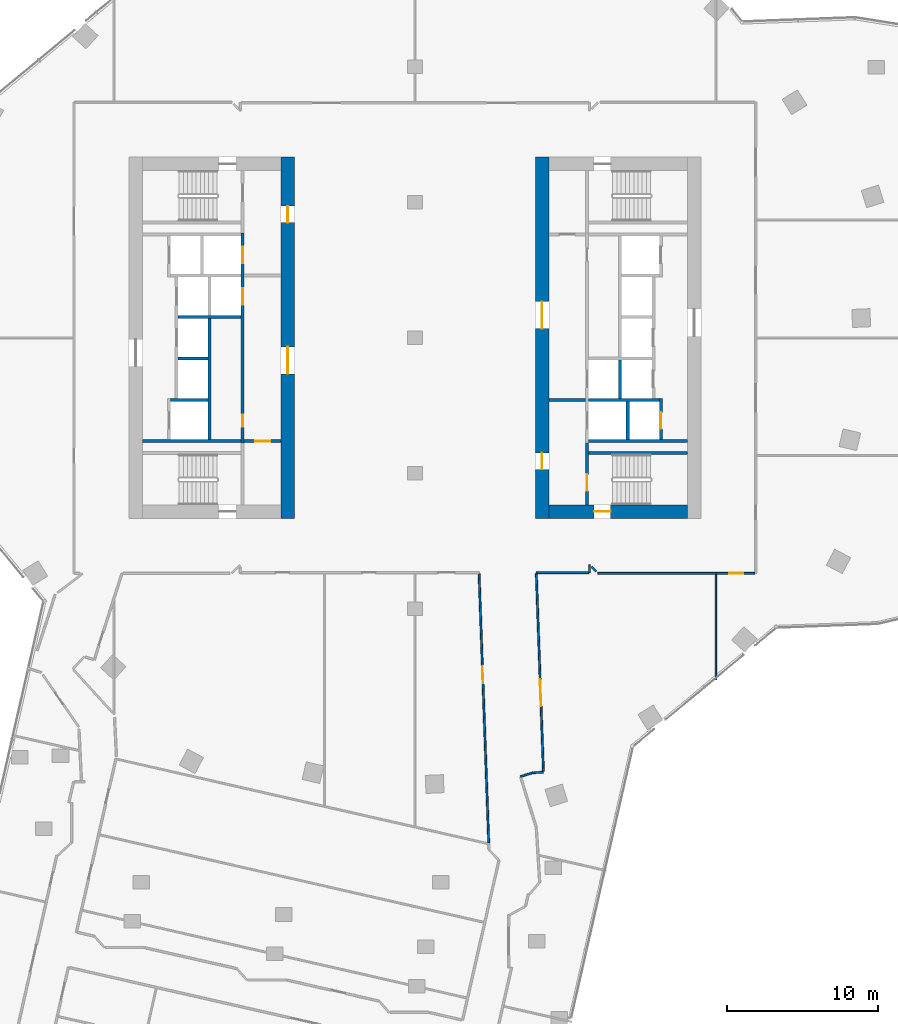
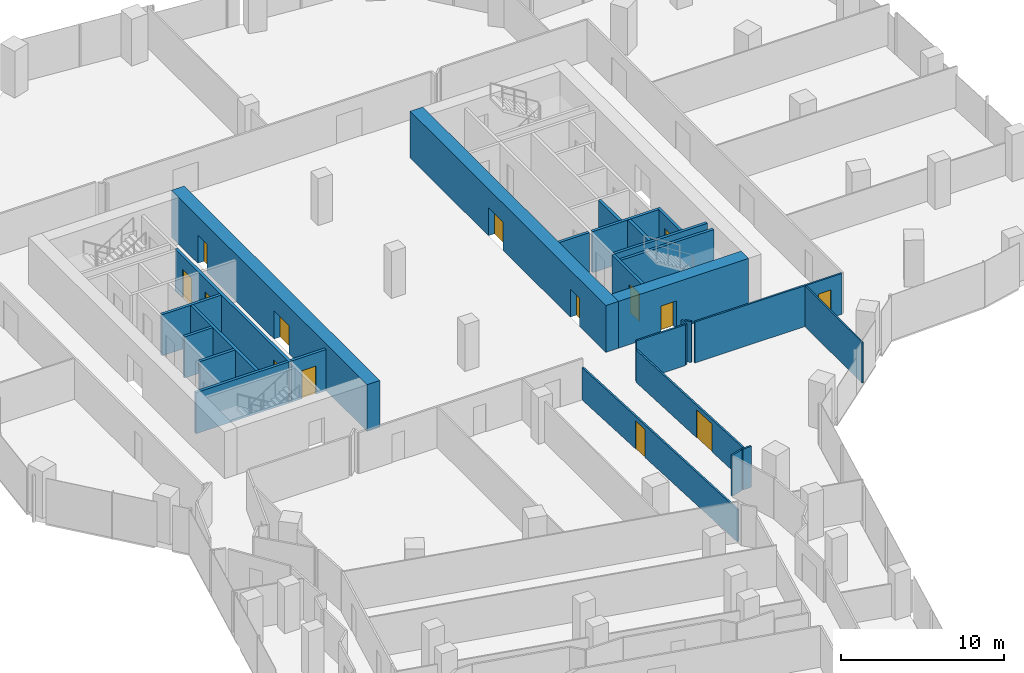
# One storey, part 20 of 23: 27 walls, 14 doors, 14 openings.
"""IFC4 building model written with IfcOpenShell, lengths in metres."""

from ifc_helpers import new_model, si_unit, direction, frame, frame_2d, origin, place, context, subcontext, project, spatial, rectangle, extrude, material, layer, layer_set, type_object, element, fill, save


model = new_model("IFC4")

# Units and contexts
model_context = context("Model", 3, precision=1e-05, world=origin(), true_north=direction((0.0, 1.0)))
body_context = subcontext(model_context, "Body", "Model", "MODEL_VIEW")
ifc_project = project(units=[si_unit("LENGTHUNIT", "METRE"), si_unit("AREAUNIT", "SQUARE_METRE"), si_unit("VOLUMEUNIT", "CUBIC_METRE"), si_unit("PLANEANGLEUNIT", "RADIAN"), si_unit("MASSUNIT", "GRAM", prefix="KILO")], contexts=[model_context])

# Site, building, storey
site_placement = place(None, origin())
site = spatial("IfcSite", under=ifc_project, at=site_placement, CompositionType="ELEMENT")
building_placement = place(site_placement, origin())
building = spatial("IfcBuilding", under=site, at=building_placement, Name="Orlundy Tower", CompositionType="ELEMENT")
storey_placement = place(building_placement, frame((0.0, 0.0, 181.10009765625)))
storey = spatial("IfcBuildingStorey", under=building, at=storey_placement, Name="L47", CompositionType="ELEMENT", Elevation=181.10009765625)

# Wall, openings, doors
ifc_material_1 = material(Name="Concrete C70/85", Category="concrete")
ifc_layer_1 = layer(ifc_material_1, 0.89990234375)
ifc_layer_set_1 = layer_set([ifc_layer_1], Name="CORE WALL 900 C70/85")
wall_type_1 = type_object("IfcWallType", Name="CORE WALL 900 C70/85", PredefinedType="SHEAR", material=ifc_layer_set_1)
wall_1_placement = place(storey_placement, frame((-8.449951171875, -12.0, 0.0), z_axis=(0.0, 0.0, 1.0), x_axis=(0.0, 1.0, 0.0)))
wall_1 = element("IfcWall", 1, at=wall_1_placement, inside=storey, type_object=wall_type_1, Name="Core wall W-E L47", PredefinedType="SHEAR", context=body_context, shape_type="SweptSolid", body=[
    extrude(rectangle(XDim=24.0, YDim=0.89990234375, at=frame_2d((12.0, 0.0))), origin(), (0.0, 0.0, 1.0), 3.5),
])
opening_1_placement = place(wall_1_placement, frame((9.60009765625, 0.0, 0.0)))
opening_1 = element("IfcOpeningElement", 2, at=opening_1_placement, cuts=wall_1, Name="Opening 36008", PredefinedType="OPENING", context=body_context, shape_type="SweptSolid", body=[
    extrude(rectangle(XDim=1.800048828125, YDim=2.10009765625, at=frame_2d((0.89990234375, 1.050048828125))), frame((0.0, 0.4599609375, 0.0), z_axis=(0.0, -1.0, 0.0), x_axis=(1.0, 0.0, 0.0)), (0.0, 0.0, 1.0), 0.919921875),
])
opening_2_placement = place(wall_1_placement, frame((19.64990234375, 0.0, 0.0)))
opening_2 = element("IfcOpeningElement", 3, at=opening_2_placement, cuts=wall_1, Name="Opening 36010", PredefinedType="OPENING", context=body_context, shape_type="SweptSolid", body=[
    extrude(rectangle(XDim=1.10009765625, YDim=2.10009765625, at=frame_2d((0.550048828125, 1.050048828125))), frame((0.0, 0.4599609375, 0.0), z_axis=(0.0, -1.0, 0.0), x_axis=(1.0, 0.0, 0.0)), (0.0, 0.0, 1.0), 0.919921875),
])
ifc_material_2 = material(Name="Steel door set", Category="steel")
door_type_1 = type_object("IfcDoorType", Name="Fire-fighting Lobby Door 1100x2100", OperationType="SINGLE_SWING_LEFT", PredefinedType="DOOR", material=ifc_material_2)
door_1_placement = place(opening_2_placement, origin())
door_1 = element("IfcDoor", 4, at=door_1_placement, inside=storey, type_object=door_type_1, Name="Fire-fighting lobby door 36010", OperationType="SINGLE_SWING_RIGHT", OverallHeight=2.10009765625, OverallWidth=1.10009765625, PredefinedType="DOOR", context=body_context, shape_type="SweptSolid", body=[
    extrude(rectangle(XDim=1.10009765625, YDim=2.10009765625, at=frame_2d((0.550048828125, 1.050048828125))), frame((0.0, 0.02490234375, 0.0), z_axis=(0.0, -1.0, 0.0), x_axis=(1.0, 0.0, 0.0)), (0.0, 0.0, 1.0), 0.050048828125),
])
fill(opening_2, door_1)
ifc_material_3 = material(Name="Timber door set", Category="wood")
door_type_2 = type_object("IfcDoorType", Name="Lobby Door 1800x2100", OperationType="DOUBLE_DOOR_DOUBLE_SWING", PredefinedType="DOOR", material=ifc_material_3)
door_2_placement = place(opening_1_placement, origin())
door_2 = element("IfcDoor", 5, at=door_2_placement, inside=storey, type_object=door_type_2, Name="Lift lobby door 36008", OperationType="SINGLE_SWING_LEFT", OverallHeight=2.10009765625, OverallWidth=1.800048828125, PredefinedType="DOOR", context=body_context, shape_type="SweptSolid", body=[
    extrude(rectangle(XDim=1.800048828125, YDim=2.10009765625, at=frame_2d((0.89990234375, 1.050048828125))), frame((0.0, 0.02490234375, 0.0), z_axis=(0.0, -1.0, 0.0), x_axis=(1.0, 0.0, 0.0)), (0.0, 0.0, 1.0), 0.050048828125),
])
fill(opening_1, door_2)

# Wall, opening, door
wall_2_placement = place(storey_placement, frame((8.89990234375, -11.550048828125, 0.0), z_axis=(0.0, 0.0, 1.0), x_axis=(1.0, 0.0, 0.0)))
wall_2 = element("IfcWall", 6, at=wall_2_placement, inside=storey, type_object=wall_type_1, Name="Core wall E-S L47", PredefinedType="SHEAR", context=body_context, shape_type="SweptSolid", body=[
    extrude(rectangle(XDim=9.2001953125, YDim=0.89990234375, at=frame_2d((4.60009765625, 0.0))), origin(), (0.0, 0.0, 1.0), 3.5),
])
opening_3_placement = place(wall_2_placement, frame((3.0, 0.0, 0.0)))
opening_3 = element("IfcOpeningElement", 7, at=opening_3_placement, cuts=wall_2, Name="Opening 36060", PredefinedType="OPENING", context=body_context, shape_type="SweptSolid", body=[
    extrude(rectangle(XDim=1.10009765625, YDim=2.10009765625, at=frame_2d((0.550048828125, 1.050048828125))), frame((0.0, 0.4599609375, 0.0), z_axis=(0.0, -1.0, 0.0), x_axis=(1.0, 0.0, 0.0)), (0.0, 0.0, 1.0), 0.919921875),
])
ifc_material_4 = material(Name="Steel door set", Category="steel")
door_type_3 = type_object("IfcDoorType", Name="Stair Door 1100x2100", OperationType="SINGLE_SWING_LEFT", PredefinedType="DOOR", material=ifc_material_4)
door_3_placement = place(opening_3_placement, origin())
door_3 = element("IfcDoor", 8, at=door_3_placement, inside=storey, type_object=door_type_3, Name="Stair door 36060", OperationType="SINGLE_SWING_LEFT", OverallHeight=2.10009765625, OverallWidth=1.10009765625, PredefinedType="DOOR", context=body_context, shape_type="SweptSolid", body=[
    extrude(rectangle(XDim=1.10009765625, YDim=2.10009765625, at=frame_2d((0.550048828125, 1.050048828125))), frame((0.0, 0.02490234375, 0.0), z_axis=(0.0, -1.0, 0.0), x_axis=(1.0, 0.0, 0.0)), (0.0, 0.0, 1.0), 0.050048828125),
])
fill(opening_3, door_3)

# Wall, openings, doors
wall_3_placement = place(storey_placement, frame((8.449951171875, -12.0, 0.0), z_axis=(0.0, 0.0, 1.0), x_axis=(0.0, 1.0, 0.0)))
wall_3 = element("IfcWall", 9, at=wall_3_placement, inside=storey, type_object=wall_type_1, Name="Core wall E-W L47", PredefinedType="SHEAR", context=body_context, shape_type="SweptSolid", body=[
    extrude(rectangle(XDim=24.0, YDim=0.89990234375, at=frame_2d((12.0, 0.0))), origin(), (0.0, 0.0, 1.0), 3.5),
])
opening_4_placement = place(wall_3_placement, frame((12.60009765625, 0.0, 0.0)))
opening_4 = element("IfcOpeningElement", 10, at=opening_4_placement, cuts=wall_3, Name="Opening 36057", PredefinedType="OPENING", context=body_context, shape_type="SweptSolid", body=[
    extrude(rectangle(XDim=1.800048828125, YDim=2.10009765625, at=frame_2d((0.89990234375, 1.050048828125))), frame((0.0, 0.4599609375, 0.0), z_axis=(0.0, -1.0, 0.0), x_axis=(1.0, 0.0, 0.0)), (0.0, 0.0, 1.0), 0.919921875),
])
opening_5_placement = place(wall_3_placement, frame((3.25, 0.0, 0.0)))
opening_5 = element("IfcOpeningElement", 11, at=opening_5_placement, cuts=wall_3, Name="Opening 36059", PredefinedType="OPENING", context=body_context, shape_type="SweptSolid", body=[
    extrude(rectangle(XDim=1.10009765625, YDim=2.10009765625, at=frame_2d((0.550048828125, 1.050048828125))), frame((0.0, 0.4599609375, 0.0), z_axis=(0.0, -1.0, 0.0), x_axis=(1.0, 0.0, 0.0)), (0.0, 0.0, 1.0), 0.919921875),
])
door_4_placement = place(opening_5_placement, origin())
door_4 = element("IfcDoor", 12, at=door_4_placement, inside=storey, type_object=door_type_1, Name="Fire-fighting lobby door 36059", OperationType="SINGLE_SWING_LEFT", OverallHeight=2.10009765625, OverallWidth=1.10009765625, PredefinedType="DOOR", context=body_context, shape_type="SweptSolid", body=[
    extrude(rectangle(XDim=1.10009765625, YDim=2.10009765625, at=frame_2d((0.550048828125, 1.050048828125))), frame((0.0, 0.02490234375, 0.0), z_axis=(0.0, -1.0, 0.0), x_axis=(1.0, 0.0, 0.0)), (0.0, 0.0, 1.0), 0.050048828125),
])
fill(opening_5, door_4)
door_5_placement = place(opening_4_placement, origin())
door_5 = element("IfcDoor", 13, at=door_5_placement, inside=storey, type_object=door_type_2, Name="Lift lobby door 36057", OperationType="SINGLE_SWING_RIGHT", OverallHeight=2.10009765625, OverallWidth=1.800048828125, PredefinedType="DOOR", context=body_context, shape_type="SweptSolid", body=[
    extrude(rectangle(XDim=1.800048828125, YDim=2.10009765625, at=frame_2d((0.89990234375, 1.050048828125))), frame((0.0, 0.02490234375, 0.0), z_axis=(0.0, -1.0, 0.0), x_axis=(1.0, 0.0, 0.0)), (0.0, 0.0, 1.0), 0.050048828125),
])
fill(opening_4, door_5)

# Walls
ifc_material_5 = material(Name="Gypsum board partition")
ifc_layer_2 = layer(ifc_material_5, 0.10009765625)
ifc_layer_set_2 = layer_set([ifc_layer_2], Name="Floor partition 100")
wall_type_2 = type_object("IfcWallType", Name="Floor partition 100", PredefinedType="PARTITIONING", material=ifc_layer_set_2)
wall_4_placement = place(storey_placement, frame((20.0, -22.712890625, 0.0), z_axis=(0.0, 0.0, 1.0), x_axis=(0.0, 1.0, 0.0)))
element("IfcWall", 14, at=wall_4_placement, inside=storey, type_object=wall_type_2, Name="wall-int-L47-082", PredefinedType="PARTITIONING", context=body_context, shape_type="SweptSolid", body=[
    extrude(rectangle(XDim=7.0, YDim=0.10009765625, at=frame_2d((3.5, 0.0))), origin(), (0.0, 0.0, 1.0), 3.059814453125),
])
ifc_material_6 = material(Name="Gypsum board partition, double layer")
ifc_layer_3 = layer(ifc_material_6, 0.125)
ifc_layer_set_3 = layer_set([ifc_layer_3], Name="Floor partition 125")
wall_type_3 = type_object("IfcWallType", Name="Floor partition 125", PredefinedType="PARTITIONING", material=ifc_layer_set_3)
wall_5_placement = place(storey_placement, frame((11.72900390625, -15.20703125, 0.0), z_axis=(0.0, 0.0, 1.0), x_axis=(0.707106781187, -0.707106781187, 0.0)))
element("IfcWall", 15, at=wall_5_placement, inside=storey, type_object=wall_type_3, Name="wall-int-L47-011", PredefinedType="PARTITIONING", context=body_context, shape_type="SweptSolid", body=[
    extrude(rectangle(XDim=0.4482421875, YDim=0.125, at=frame_2d((0.22412109375, 0.0))), origin(), (0.0, 0.0, 1.0), 3.059814453125),
])

# Wall, opening, door
wall_6_placement = place(storey_placement, frame((22.5869140625, -15.65087890625, 0.0), z_axis=(0.0, 0.0, 1.0), x_axis=(-1.0, 0.0, 0.0)))
wall_6 = element("IfcWall", 16, at=wall_6_placement, inside=storey, type_object=wall_type_3, Name="wall-int-L47-044", PredefinedType="PARTITIONING", context=body_context, shape_type="SweptSolid", body=[
    extrude(rectangle(XDim=10.427001953125, YDim=0.125, at=frame_2d((5.21337890625, 0.0))), origin(), (0.0, 0.0, 1.0), 3.059814453125),
])
opening_6_placement = place(wall_6_placement, frame((0.78759765625, 0.0, 0.0)))
opening_6 = element("IfcOpeningElement", 17, at=opening_6_placement, cuts=wall_6, Name="Opening 36118", PredefinedType="OPENING", context=body_context, shape_type="SweptSolid", body=[
    extrude(rectangle(XDim=0.89990234375, YDim=2.10009765625, at=frame_2d((0.449951171875, 1.050048828125))), frame((0.0, 0.072509765625, 0.0), z_axis=(0.0, -1.0, 0.0), x_axis=(1.0, 0.0, 0.0)), (0.0, 0.0, 1.0), 0.14501953125),
])
ifc_material_7 = material(Name="Timber door leaf", Category="wood")
door_type_4 = type_object("IfcDoorType", Name="Floor door single 900 FD30S", OperationType="NOTDEFINED", PredefinedType="DOOR", material=ifc_material_7)
door_6_placement = place(opening_6_placement, origin())
door_6 = element("IfcDoor", 18, at=door_6_placement, inside=storey, type_object=door_type_4, Name="Door 36118", OperationType="SINGLE_SWING_LEFT", OverallHeight=2.10009765625, OverallWidth=0.89990234375, PredefinedType="DOOR", context=body_context, shape_type="SweptSolid", body=[
    extrude(rectangle(XDim=0.89990234375, YDim=2.10009765625, at=frame_2d((0.449951171875, 1.050048828125))), frame((0.0, 0.02490234375, 0.0), z_axis=(0.0, -1.0, 0.0), x_axis=(1.0, 0.0, 0.0)), (0.0, 0.0, 1.0), 0.050048828125),
])
fill(opening_6, door_6)

# Walls
wall_7_placement = place(storey_placement, frame((8.06298828125, -15.60009765625, 0.0), z_axis=(0.0, 0.0, 1.0), x_axis=(1.0, 0.0, 0.0)))
element("IfcWall", 19, at=wall_7_placement, inside=storey, type_object=wall_type_3, Name="wall-int-L47-046", PredefinedType="PARTITIONING", context=body_context, shape_type="SweptSolid", body=[
    extrude(rectangle(XDim=3.47607421875, YDim=0.125, at=frame_2d((1.738037109375, 0.0))), origin(), (0.0, 0.0, 1.0), 3.059814453125),
])
wall_8_placement = place(storey_placement, frame((7.902099609375, -28.89208984375, 0.0), z_axis=(0.0, 0.0, 1.0), x_axis=(0.999337726379, 0.036388303567, 0.0)))
element("IfcWall", 20, at=wall_8_placement, inside=storey, type_object=wall_type_3, Name="wall-int-L47-055", PredefinedType="PARTITIONING", context=body_context, shape_type="SweptSolid", body=[
    extrude(rectangle(XDim=0.637451171875, YDim=0.125, at=frame_2d((0.31884765625, 0.0))), origin(), (0.0, 0.0, 1.0), 3.059814453125),
])
wall_9_placement = place(storey_placement, frame((7.01611328125, -29.15087890625, 0.0), z_axis=(0.0, 0.0, 1.0), x_axis=(0.955337275677, 0.295517663943, 0.0)))
element("IfcWall", 21, at=wall_9_placement, inside=storey, type_object=wall_type_3, Name="wall-int-L47-057", PredefinedType="PARTITIONING", context=body_context, shape_type="SweptSolid", body=[
    extrude(rectangle(XDim=0.862548828125, YDim=0.125, at=frame_2d((0.43115234375, 0.0))), origin(), (0.0, 0.0, 1.0), 3.059814453125),
])
wall_10_placement = place(storey_placement, frame((11.60107421875, -15.60009765625, 0.0), z_axis=(0.0, 0.0, 1.0), x_axis=(0.0, 1.0, 0.0)))
element("IfcWall", 22, at=wall_10_placement, inside=storey, type_object=wall_type_3, Name="wall-int-L47-084", PredefinedType="PARTITIONING", context=body_context, shape_type="SweptSolid", body=[
    extrude(rectangle(XDim=0.508056640625, YDim=0.125, at=frame_2d((0.25390625, 0.0))), origin(), (0.0, 0.0, 1.0), 3.059814453125),
])

# Wall, opening, door
ifc_material_8 = material(Name="Gypsum board partition, double layer")
ifc_layer_4 = layer(ifc_material_8, 0.125)
ifc_layer_set_4 = layer_set([ifc_layer_4], Name="Floor partition 125 B")
wall_type_4 = type_object("IfcWallType", Name="Floor partition 125 B", PredefinedType="PARTITIONING", material=ifc_layer_set_4)
wall_11_placement = place(storey_placement, frame((4.904052734375, -33.554931640625, 0.0), z_axis=(0.0, 0.0, 1.0), x_axis=(-0.035916720211, 0.999354786454, 0.0)))
wall_11 = element("IfcWall", 23, at=wall_11_placement, inside=storey, type_object=wall_type_4, Name="wall-int-L47-003", PredefinedType="PARTITIONING", context=body_context, shape_type="SweptSolid", body=[
    extrude(rectangle(XDim=17.904296875, YDim=0.125, at=frame_2d((8.9521484375, 0.0))), origin(), (0.0, 0.0, 1.0), 2.4248046875),
])
opening_7_placement = place(wall_11_placement, frame((10.622802734375, 0.0, 0.0)))
opening_7 = element("IfcOpeningElement", 24, at=opening_7_placement, cuts=wall_11, Name="Opening 36116", PredefinedType="OPENING", context=body_context, shape_type="SweptSolid", body=[
    extrude(rectangle(XDim=1.10009765625, YDim=2.10009765625, at=frame_2d((0.550048828125, 1.050048828125))), frame((0.0, 0.072509765625, 0.0), z_axis=(0.0, -1.0, 0.0), x_axis=(1.0, 0.0, 0.0)), (0.0, 0.0, 1.0), 0.14501953125),
])
ifc_material_9 = material(Name="Timber door leaf", Category="wood")
door_type_5 = type_object("IfcDoorType", Name="Floor door xwide 1100 FD30S", OperationType="NOTDEFINED", PredefinedType="DOOR", material=ifc_material_9)
door_7_placement = place(opening_7_placement, origin())
door_7 = element("IfcDoor", 25, at=door_7_placement, inside=storey, type_object=door_type_5, Name="Door 36116", OperationType="SINGLE_SWING_RIGHT", OverallHeight=2.10009765625, OverallWidth=1.10009765625, PredefinedType="DOOR", context=body_context, shape_type="SweptSolid", body=[
    extrude(rectangle(XDim=1.10009765625, YDim=2.10009765625, at=frame_2d((0.550048828125, 1.050048828125))), frame((0.0, 0.02490234375, 0.0), z_axis=(0.0, -1.0, 0.0), x_axis=(1.0, 0.0, 0.0)), (0.0, 0.0, 1.0), 0.050048828125),
])
fill(opening_7, door_7)

wall_12_placement = place(storey_placement, frame((8.06494140625, -15.662109375, 0.0), z_axis=(0.0, 0.0, 1.0), x_axis=(0.035900093104, -0.999355383893, 0.0)))
wall_12 = element("IfcWall", 26, at=wall_12_placement, inside=storey, type_object=wall_type_4, Name="wall-int-L47-004", PredefinedType="PARTITIONING", context=body_context, shape_type="SweptSolid", body=[
    extrude(rectangle(XDim=13.15234375, YDim=0.125, at=frame_2d((6.576171875, 0.0))), origin(), (0.0, 0.0, 1.0), 2.4248046875),
])
opening_8_placement = place(wall_12_placement, frame((7.018310546875, 0.0, 0.0)))
opening_8 = element("IfcOpeningElement", 27, at=opening_8_placement, cuts=wall_12, Name="Opening 36117", PredefinedType="OPENING", context=body_context, shape_type="SweptSolid", body=[
    extrude(rectangle(XDim=1.800048828125, YDim=2.10009765625, at=frame_2d((0.89990234375, 1.050048828125))), frame((0.0, 0.072509765625, 0.0), z_axis=(0.0, -1.0, 0.0), x_axis=(1.0, 0.0, 0.0)), (0.0, 0.0, 1.0), 0.14501953125),
])
ifc_material_10 = material(Name="Timber door leaf", Category="wood")
door_type_6 = type_object("IfcDoorType", Name="Floor door double 1800 FD30S", OperationType="NOTDEFINED", PredefinedType="DOOR", material=ifc_material_10)
door_8_placement = place(opening_8_placement, origin())
door_8 = element("IfcDoor", 28, at=door_8_placement, inside=storey, type_object=door_type_6, Name="Door 36117", OperationType="DOUBLE_DOOR_SINGLE_SWING", OverallHeight=2.10009765625, OverallWidth=1.800048828125, PredefinedType="DOOR", context=body_context, shape_type="SweptSolid", body=[
    extrude(rectangle(XDim=1.800048828125, YDim=2.10009765625, at=frame_2d((0.89990234375, 1.050048828125))), frame((0.0, 0.02490234375, 0.0), z_axis=(0.0, -1.0, 0.0), x_axis=(1.0, 0.0, 0.0)), (0.0, 0.0, 1.0), 0.050048828125),
])
fill(opening_8, door_8)

ifc_material_11 = material(Name="Concrete C40/50", Category="concrete")
ifc_layer_5 = layer(ifc_material_11, 0.199951171875)
ifc_layer_set_5 = layer_set([ifc_layer_5], Name="Load-bearing Shaft Wall 200")
wall_type_5 = type_object("IfcWallType", Name="Load-bearing Shaft Wall 200", PredefinedType="SOLIDWALL", material=ifc_layer_set_5)
wall_13_placement = place(storey_placement, frame((11.43994140625, -6.97509765625, 0.0), z_axis=(0.0, 0.0, 1.0), x_axis=(0.0, -1.0, 0.0)))
wall_13 = element("IfcWall", 29, at=wall_13_placement, inside=storey, type_object=wall_type_5, Name="Shaft wall E36-stair-end-n", PredefinedType="SOLIDWALL", context=body_context, shape_type="SweptSolid", body=[
    extrude(rectangle(XDim=4.125, YDim=0.199951171875, at=frame_2d((2.0625, 0.0))), origin(), (0.0, 0.0, 1.0), 3.079833984375),
])
opening_9_placement = place(wall_13_placement, frame((2.10009765625, 0.0, 0.0)))
opening_9 = element("IfcOpeningElement", 30, at=opening_9_placement, cuts=wall_13, Name="Opening 36062", PredefinedType="OPENING", context=body_context, shape_type="SweptSolid", body=[
    extrude(rectangle(XDim=1.10009765625, YDim=2.10009765625, at=frame_2d((0.550048828125, 1.050048828125))), frame((0.0, 0.110107421875, 0.0), z_axis=(0.0, -1.0, 0.0), x_axis=(1.0, 0.0, 0.0)), (0.0, 0.0, 1.0), 0.22021484375),
])
door_9_placement = place(opening_9_placement, origin())
door_9 = element("IfcDoor", 31, at=door_9_placement, inside=storey, type_object=door_type_1, Name="Fire-fighting lobby to stair door 36062", OperationType="SINGLE_SWING_RIGHT", OverallHeight=2.10009765625, OverallWidth=1.10009765625, PredefinedType="DOOR", context=body_context, shape_type="SweptSolid", body=[
    extrude(rectangle(XDim=1.10009765625, YDim=2.10009765625, at=frame_2d((0.550048828125, 1.050048828125))), frame((0.0, 0.02490234375, 0.0), z_axis=(0.0, -1.0, 0.0), x_axis=(1.0, 0.0, 0.0)), (0.0, 0.0, 1.0), 0.050048828125),
])
fill(opening_9, door_9)

# Wall
wall_14_placement = place(storey_placement, frame((11.5400390625, -7.64990234375, 0.0), z_axis=(0.0, 0.0, 1.0), x_axis=(1.0, 0.0, 0.0)))
element("IfcWall", 32, at=wall_14_placement, inside=storey, type_object=wall_type_5, Name="Shaft wall E36-stair-side-n", PredefinedType="SOLIDWALL", context=body_context, shape_type="SweptSolid", body=[
    extrude(rectangle(XDim=6.56005859375, YDim=0.199951171875, at=frame_2d((3.280029296875, 0.0))), origin(), (0.0, 0.0, 1.0), 3.079833984375),
])

# Wall, opening, door
ifc_material_12 = material(Name="Gypsum board partition on steel studs", Category="steel")
ifc_layer_6 = layer(ifc_material_12, 0.199951171875)
ifc_layer_set_6 = layer_set([ifc_layer_6], Name="Partition 200")
wall_type_6 = type_object("IfcWallType", Name="Partition 200", PredefinedType="PARTITIONING", material=ifc_layer_set_6)
wall_15_placement = place(storey_placement, frame((-8.89990234375, -6.875, 0.0), z_axis=(0.0, 0.0, 1.0), x_axis=(-1.0, 0.0, 0.0)))
wall_15 = element("IfcWall", 33, at=wall_15_placement, inside=storey, type_object=wall_type_6, Name="Partition wall W36-end-s", PredefinedType="PARTITIONING", context=body_context, shape_type="SweptSolid", body=[
    extrude(rectangle(XDim=2.440185546875, YDim=0.199951171875, at=frame_2d((1.22021484375, 0.0))), origin(), (0.0, 0.0, 1.0), 3.079833984375),
])
opening_10_placement = place(wall_15_placement, frame((0.719970703125, 0.0, 0.0)))
opening_10 = element("IfcOpeningElement", 34, at=opening_10_placement, cuts=wall_15, Name="Opening 36014", PredefinedType="OPENING", context=body_context, shape_type="SweptSolid", body=[
    extrude(rectangle(XDim=1.0, YDim=2.10009765625, at=frame_2d((0.5, 1.050048828125))), frame((0.0, 0.110107421875, 0.0), z_axis=(0.0, -1.0, 0.0), x_axis=(1.0, 0.0, 0.0)), (0.0, 0.0, 1.0), 0.22021484375),
])
ifc_material_13 = material(Name="Timber door set", Category="wood")
door_type_7 = type_object("IfcDoorType", Name="Accessible Door 1000x2100", OperationType="SINGLE_SWING_LEFT", PredefinedType="DOOR", material=ifc_material_13)
door_10_placement = place(opening_10_placement, origin())
door_10 = element("IfcDoor", 35, at=door_10_placement, inside=storey, type_object=door_type_7, Name="Accessible WC door 36014", OperationType="SINGLE_SWING_RIGHT", OverallHeight=2.10009765625, OverallWidth=1.0, PredefinedType="DOOR", context=body_context, shape_type="SweptSolid", body=[
    extrude(rectangle(XDim=1.0, YDim=2.10009765625, at=frame_2d((0.5, 1.050048828125))), frame((0.0, 0.02490234375, 0.0), z_axis=(0.0, -1.0, 0.0), x_axis=(1.0, 0.0, 0.0)), (0.0, 0.0, 1.0), 0.050048828125),
])
fill(opening_10, door_10)

# Walls
wall_16_placement = place(storey_placement, frame((8.89990234375, -4.125, 0.0), z_axis=(0.0, 0.0, 1.0), x_axis=(1.0, 0.0, 0.0)))
element("IfcWall", 36, at=wall_16_placement, inside=storey, type_object=wall_type_6, Name="Partition wall E36-lobby-n", PredefinedType="PARTITIONING", context=body_context, shape_type="SweptSolid", body=[
    extrude(rectangle(XDim=2.440185546875, YDim=0.199951171875, at=frame_2d((1.22021484375, 0.0))), origin(), (0.0, 0.0, 1.0), 3.079833984375),
])
ifc_material_14 = material(Name="Fire-rated blockwork shaft wall", Category="masonry")
ifc_layer_7 = layer(ifc_material_14, 0.199951171875)
ifc_layer_set_7 = layer_set([ifc_layer_7], Name="Shaft Wall 200")
wall_type_7 = type_object("IfcWallType", Name="Shaft Wall 200", PredefinedType="SOLIDWALL", material=ifc_layer_set_7)
wall_17_placement = place(storey_placement, frame((-11.5400390625, -6.875, 0.0), z_axis=(0.0, 0.0, 1.0), x_axis=(-1.0, 0.0, 0.0)))
element("IfcWall", 37, at=wall_17_placement, inside=storey, type_object=wall_type_7, Name="Shaft wall W36-zone-s", PredefinedType="SOLIDWALL", context=body_context, shape_type="SweptSolid", body=[
    extrude(rectangle(XDim=6.56005859375, YDim=0.199951171875, at=frame_2d((3.280029296875, 0.0))), origin(), (0.0, 0.0, 1.0), 3.079833984375),
])
wall_18_placement = place(storey_placement, frame((-13.739990234375, -4.125, 0.0), z_axis=(0.0, 0.0, 1.0), x_axis=(-1.0, 0.0, 0.0)))
element("IfcWall", 38, at=wall_18_placement, inside=storey, type_object=wall_type_7, Name="Shaft wall W36-cross-4.125", PredefinedType="SOLIDWALL", context=body_context, shape_type="SweptSolid", body=[
    extrude(rectangle(XDim=2.5, YDim=0.199951171875, at=frame_2d((1.25, 0.0))), origin(), (0.0, 0.0, 1.0), 3.079833984375),
])
wall_19_placement = place(storey_placement, frame((-13.739990234375, -1.375, 0.0), z_axis=(0.0, 0.0, 1.0), x_axis=(-1.0, 0.0, 0.0)))
element("IfcWall", 39, at=wall_19_placement, inside=storey, type_object=wall_type_7, Name="Shaft wall W36-cross-1.375", PredefinedType="SOLIDWALL", context=body_context, shape_type="SweptSolid", body=[
    extrude(rectangle(XDim=2.0, YDim=0.199951171875, at=frame_2d((1.0, 0.0))), origin(), (0.0, 0.0, 1.0), 3.079833984375),
])
wall_20_placement = place(storey_placement, frame((-11.5400390625, 1.375, 0.0), z_axis=(0.0, 0.0, 1.0), x_axis=(-1.0, 0.0, 0.0)))
element("IfcWall", 40, at=wall_20_placement, inside=storey, type_object=wall_type_7, Name="Shaft wall W36-cross+1.375", PredefinedType="SOLIDWALL", context=body_context, shape_type="SweptSolid", body=[
    extrude(rectangle(XDim=4.199951171875, YDim=0.199951171875, at=frame_2d((2.10009765625, 0.0))), origin(), (0.0, 0.0, 1.0), 3.079833984375),
])

# Wall, openings, doors
wall_21_placement = place(storey_placement, frame((-11.43994140625, -6.97509765625, 0.0), z_axis=(0.0, 0.0, 1.0), x_axis=(0.0, 1.0, 0.0)))
wall_21 = element("IfcWall", 41, at=wall_21_placement, inside=storey, type_object=wall_type_7, Name="Shaft wall W36-front-h", PredefinedType="SOLIDWALL", context=body_context, shape_type="SweptSolid", body=[
    extrude(rectangle(XDim=13.9501953125, YDim=0.199951171875, at=frame_2d((6.97509765625, 0.0))), origin(), (0.0, 0.0, 1.0), 3.079833984375),
])
opening_11_placement = place(wall_21_placement, frame((9.175048828125, 0.0, 0.0)))
opening_11 = element("IfcOpeningElement", 42, at=opening_11_placement, cuts=wall_21, Name="Opening 36003", PredefinedType="OPENING", context=body_context, shape_type="SweptSolid", body=[
    extrude(rectangle(XDim=1.10009765625, YDim=2.10009765625, at=frame_2d((0.550048828125, 1.050048828125))), frame((0.0, 0.110107421875, 0.0), z_axis=(0.0, -1.0, 0.0), x_axis=(1.0, 0.0, 0.0)), (0.0, 0.0, 1.0), 0.22021484375),
])
opening_12_placement = place(wall_21_placement, frame((11.925048828125, 0.0, 0.0)))
opening_12 = element("IfcOpeningElement", 43, at=opening_12_placement, cuts=wall_21, Name="Opening 36005", PredefinedType="OPENING", context=body_context, shape_type="SweptSolid", body=[
    extrude(rectangle(XDim=1.10009765625, YDim=2.10009765625, at=frame_2d((0.550048828125, 1.050048828125))), frame((0.0, 0.110107421875, 0.0), z_axis=(0.0, -1.0, 0.0), x_axis=(1.0, 0.0, 0.0)), (0.0, 0.0, 1.0), 0.22021484375),
])
opening_13_placement = place(wall_21_placement, frame((1.074951171875, 0.0, 0.0)))
opening_13 = element("IfcOpeningElement", 44, at=opening_13_placement, cuts=wall_21, Name="Opening 36007", PredefinedType="OPENING", context=body_context, shape_type="SweptSolid", body=[
    extrude(rectangle(XDim=0.800048828125, YDim=2.10009765625, at=frame_2d((0.39990234375, 1.050048828125))), frame((0.0, 0.110107421875, 0.0), z_axis=(0.0, -1.0, 0.0), x_axis=(1.0, 0.0, 0.0)), (0.0, 0.0, 1.0), 0.22021484375),
])
ifc_material_15 = material(Name="Steel door set", Category="steel")
door_type_8 = type_object("IfcDoorType", Name="Landing Door 1100x2100", OperationType="DOUBLE_DOOR_SLIDING", PredefinedType="DOOR", material=ifc_material_15)
door_11_placement = place(opening_11_placement, origin())
door_11 = element("IfcDoor", 45, at=door_11_placement, inside=storey, type_object=door_type_8, Name="Lift landing door LP-12 36003", OperationType="DOUBLE_DOOR_SLIDING", OverallHeight=2.10009765625, OverallWidth=1.10009765625, PredefinedType="DOOR", context=body_context, shape_type="SweptSolid", body=[
    extrude(rectangle(XDim=1.10009765625, YDim=2.10009765625, at=frame_2d((0.550048828125, 1.050048828125))), frame((0.0, 0.02490234375, 0.0), z_axis=(0.0, -1.0, 0.0), x_axis=(1.0, 0.0, 0.0)), (0.0, 0.0, 1.0), 0.050048828125),
])
fill(opening_11, door_11)
door_12_placement = place(opening_12_placement, origin())
door_12 = element("IfcDoor", 46, at=door_12_placement, inside=storey, type_object=door_type_8, Name="Lift landing door FL1 36005", OperationType="DOUBLE_DOOR_SLIDING", OverallHeight=2.10009765625, OverallWidth=1.10009765625, PredefinedType="DOOR", context=body_context, shape_type="SweptSolid", body=[
    extrude(rectangle(XDim=1.10009765625, YDim=2.10009765625, at=frame_2d((0.550048828125, 1.050048828125))), frame((0.0, 0.02490234375, 0.0), z_axis=(0.0, -1.0, 0.0), x_axis=(1.0, 0.0, 0.0)), (0.0, 0.0, 1.0), 0.050048828125),
])
fill(opening_12, door_12)
ifc_material_16 = material(Name="Timber door set", Category="wood")
door_type_9 = type_object("IfcDoorType", Name="Riser Door 800x2100", OperationType="SINGLE_SWING_LEFT", PredefinedType="DOOR", material=ifc_material_16)
door_13_placement = place(opening_13_placement, origin())
door_13 = element("IfcDoor", 47, at=door_13_placement, inside=storey, type_object=door_type_9, Name="Electrical Riser Room door 36007", OperationType="SINGLE_SWING_LEFT", OverallHeight=2.10009765625, OverallWidth=0.800048828125, PredefinedType="DOOR", context=body_context, shape_type="SweptSolid", body=[
    extrude(rectangle(XDim=0.800048828125, YDim=2.10009765625, at=frame_2d((0.39990234375, 1.050048828125))), frame((0.0, 0.02490234375, 0.0), z_axis=(0.0, -1.0, 0.0), x_axis=(1.0, 0.0, 0.0)), (0.0, 0.0, 1.0), 0.050048828125),
])
fill(opening_13, door_13)

# Walls
wall_22_placement = place(storey_placement, frame((-13.639892578125, -6.77490234375, 0.0), z_axis=(0.0, 0.0, 1.0), x_axis=(0.0, 1.0, 0.0)))
element("IfcWall", 48, at=wall_22_placement, inside=storey, type_object=wall_type_7, Name="Shaft wall W36-mid-a", PredefinedType="SOLIDWALL", context=body_context, shape_type="SweptSolid", body=[
    extrude(rectangle(XDim=8.0498046875, YDim=0.199951171875, at=frame_2d((4.02490234375, 0.0))), origin(), (0.0, 0.0, 1.0), 3.079833984375),
])
wall_23_placement = place(storey_placement, frame((11.5400390625, -6.875, 0.0), z_axis=(0.0, 0.0, 1.0), x_axis=(1.0, 0.0, 0.0)))
element("IfcWall", 49, at=wall_23_placement, inside=storey, type_object=wall_type_7, Name="Shaft wall E36-zone-n", PredefinedType="SOLIDWALL", context=body_context, shape_type="SweptSolid", body=[
    extrude(rectangle(XDim=6.56005859375, YDim=0.199951171875, at=frame_2d((3.280029296875, 0.0))), origin(), (0.0, 0.0, 1.0), 3.079833984375),
])
wall_24_placement = place(storey_placement, frame((11.5400390625, -4.125, 0.0), z_axis=(0.0, 0.0, 1.0), x_axis=(1.0, 0.0, 0.0)))
element("IfcWall", 50, at=wall_24_placement, inside=storey, type_object=wall_type_7, Name="Shaft wall E36-cross+4.125", PredefinedType="SOLIDWALL", context=body_context, shape_type="SweptSolid", body=[
    extrude(rectangle(XDim=4.699951171875, YDim=0.199951171875, at=frame_2d((2.35009765625, 0.0))), origin(), (0.0, 0.0, 1.0), 3.079833984375),
])
for number, where, z_axis, x_axis, name in (
    (51, (13.639892578125, -1.47509765625, 0.0), (0.0, 0.0, 1.0), (0.0, -1.0, 0.0), "Shaft wall E36-mid-a.1"),
    (52, (14.139892578125, -4.22509765625, 0.0), (0.0, 0.0, 1.0), (0.0, -1.0, 0.0), "Shaft wall E36-mid-b"),
):
    element("IfcWall", number, at=place(storey_placement, frame(where, z_axis=z_axis, x_axis=x_axis)), inside=storey, type_object=wall_type_7, Name=name, PredefinedType="SOLIDWALL", context=body_context, shape_type="SweptSolid", body=[
        extrude(rectangle(XDim=2.5498046875, YDim=0.199951171875, at=frame_2d((1.27490234375, 0.0))), origin(), (0.0, 0.0, 1.0), 3.079833984375),
    ])

# Wall, opening, door
wall_25_placement = place(storey_placement, frame((16.340087890625, -4.02490234375, 0.0), z_axis=(0.0, 0.0, 1.0), x_axis=(0.0, -1.0, 0.0)))
wall_25 = element("IfcWall", 53, at=wall_25_placement, inside=storey, type_object=wall_type_7, Name="Shaft wall E36-front-o-c", PredefinedType="SOLIDWALL", context=body_context, shape_type="SweptSolid", body=[
    extrude(rectangle(XDim=2.75, YDim=0.199951171875, at=frame_2d((1.375, 0.0))), origin(), (0.0, 0.0, 1.0), 3.079833984375),
])
opening_14_placement = place(wall_25_placement, frame((0.925048828125, 0.0, 0.0)))
opening_14 = element("IfcOpeningElement", 54, at=opening_14_placement, cuts=wall_25, Name="Opening 36055", PredefinedType="OPENING", context=body_context, shape_type="SweptSolid", body=[
    extrude(rectangle(XDim=1.10009765625, YDim=2.10009765625, at=frame_2d((0.550048828125, 1.050048828125))), frame((0.0, 0.110107421875, 0.0), z_axis=(0.0, -1.0, 0.0), x_axis=(1.0, 0.0, 0.0)), (0.0, 0.0, 1.0), 0.22021484375),
])
door_14_placement = place(opening_14_placement, origin())
door_14 = element("IfcDoor", 55, at=door_14_placement, inside=storey, type_object=door_type_8, Name="Lift landing door LP-18 36055", OperationType="DOUBLE_DOOR_SLIDING", OverallHeight=2.10009765625, OverallWidth=1.10009765625, PredefinedType="DOOR", context=body_context, shape_type="SweptSolid", body=[
    extrude(rectangle(XDim=1.10009765625, YDim=2.10009765625, at=frame_2d((0.550048828125, 1.050048828125))), frame((0.0, 0.02490234375, 0.0), z_axis=(0.0, -1.0, 0.0), x_axis=(1.0, 0.0, 0.0)), (0.0, 0.0, 1.0), 0.050048828125),
])
fill(opening_14, door_14)

save(model, "model.ifc")
